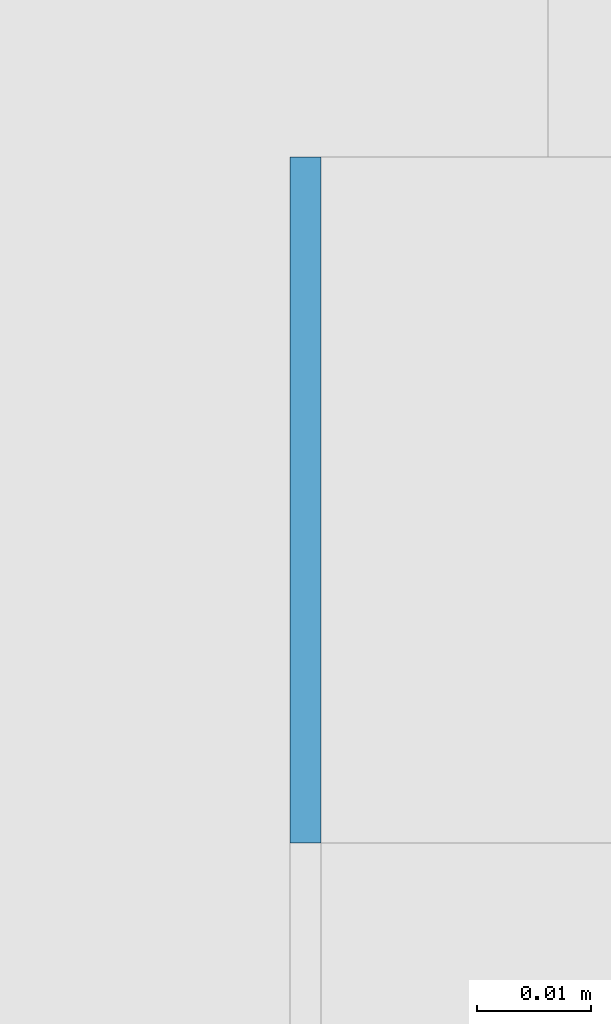
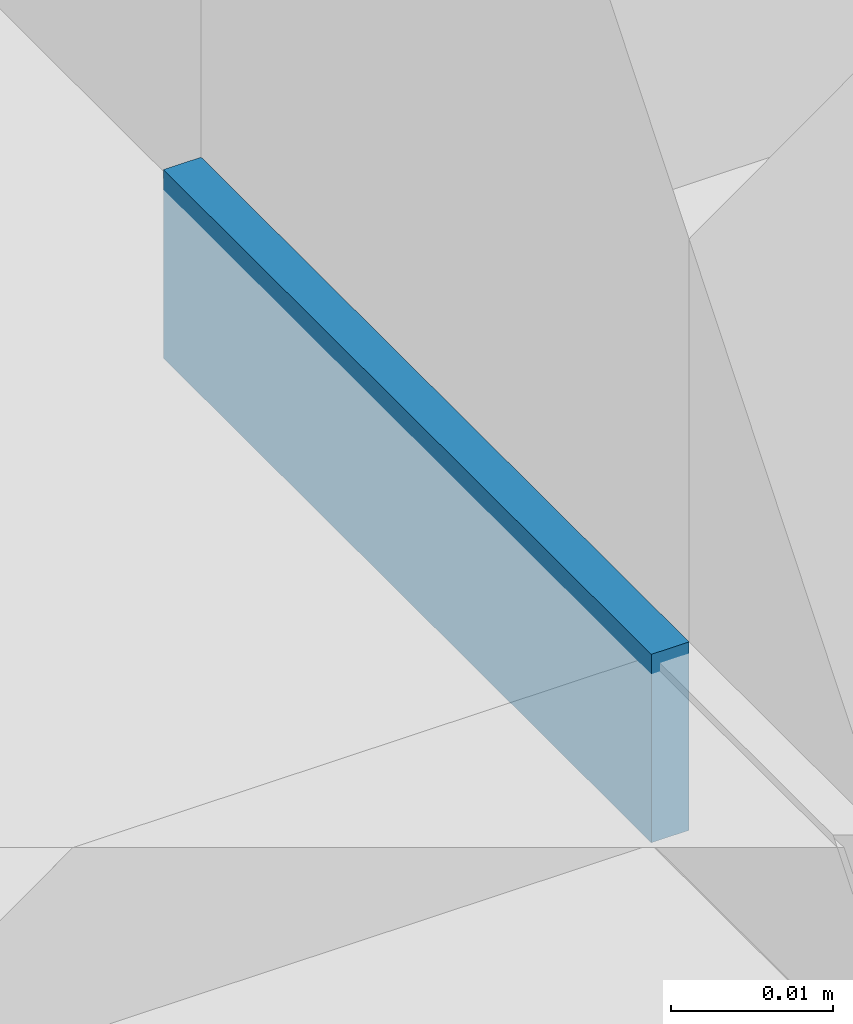
# One storey, part 510 of 646: 1 discrete accessory.
"""IFC4 building model written with IfcOpenShell, lengths in metres."""

from ifc_helpers import new_model, si_unit, direction, frame, origin, origin_2d, place, context, subcontext, project, spatial, rectangle, extrude, material, type_object, element, save


model = new_model("IFC4")

# Units and contexts
model_context = context("Model", 3, precision=1e-05, world=origin(), true_north=direction((0.0, 1.0)))
body_context = subcontext(model_context, "Body", "Model", "MODEL_VIEW")
ifc_project = project(units=[si_unit("LENGTHUNIT", "METRE"), si_unit("AREAUNIT", "SQUARE_METRE"), si_unit("VOLUMEUNIT", "CUBIC_METRE"), si_unit("PLANEANGLEUNIT", "RADIAN"), si_unit("MASSUNIT", "GRAM", prefix="KILO")], contexts=[model_context])

# Site, building, storey
site_placement = place(None, origin())
site = spatial("IfcSite", under=ifc_project, at=site_placement, CompositionType="ELEMENT")
building_placement = place(site_placement, origin())
building = spatial("IfcBuilding", under=site, at=building_placement, Name="Silverbay Arena", CompositionType="ELEMENT")
storey_placement = place(building_placement, frame((0.0, 0.0, 33.5)))
storey = spatial("IfcBuildingStorey", under=building, at=storey_placement, Name="L05", CompositionType="ELEMENT", Elevation=33.5)

# Discrete accessory
ifc_material = material(Name="Steel S355", Category="steel")
discrete_accessory_type = type_object("IfcDiscreteAccessoryType", Name="Steel bracket plate", PredefinedType="BRACKET", material=ifc_material)
discrete_accessory_placement = place(storey_placement, frame((207.128662109375, 72.030029296875, 4.0), z_axis=(0.0, 0.0, 1.0), x_axis=(1.0, 0.0, 0.0)))
element("IfcDiscreteAccessory", 1, at=discrete_accessory_placement, inside=storey, type_object=discrete_accessory_type, Name="Curtain wall packing plate", PredefinedType="BRACKET", context=body_context, shape_type="SweptSolid", body=[
    extrude(rectangle(XDim=0.002685546875, YDim=0.06005859375, at=origin_2d()), origin(), (0.0, 0.0, 1.0), 0.01416015625),
])

save(model, "model.ifc")
